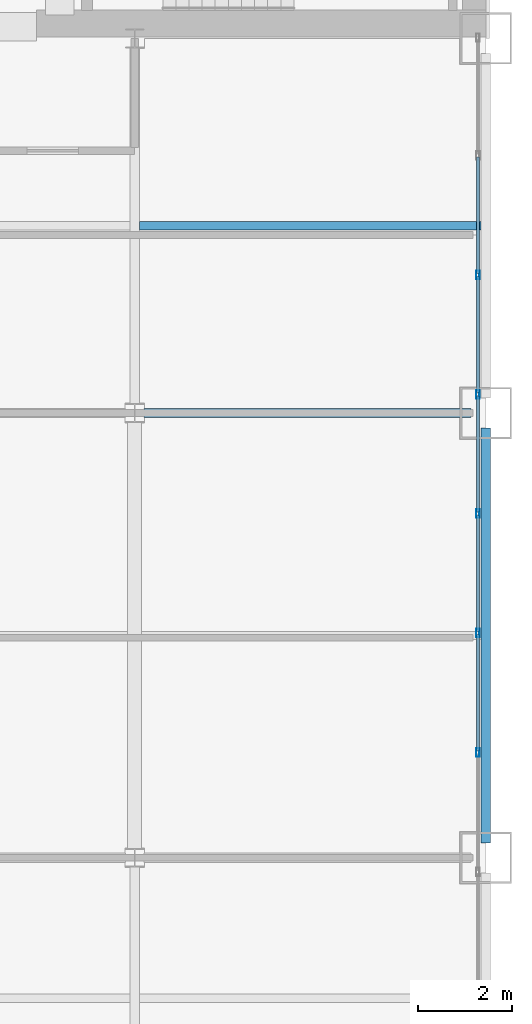
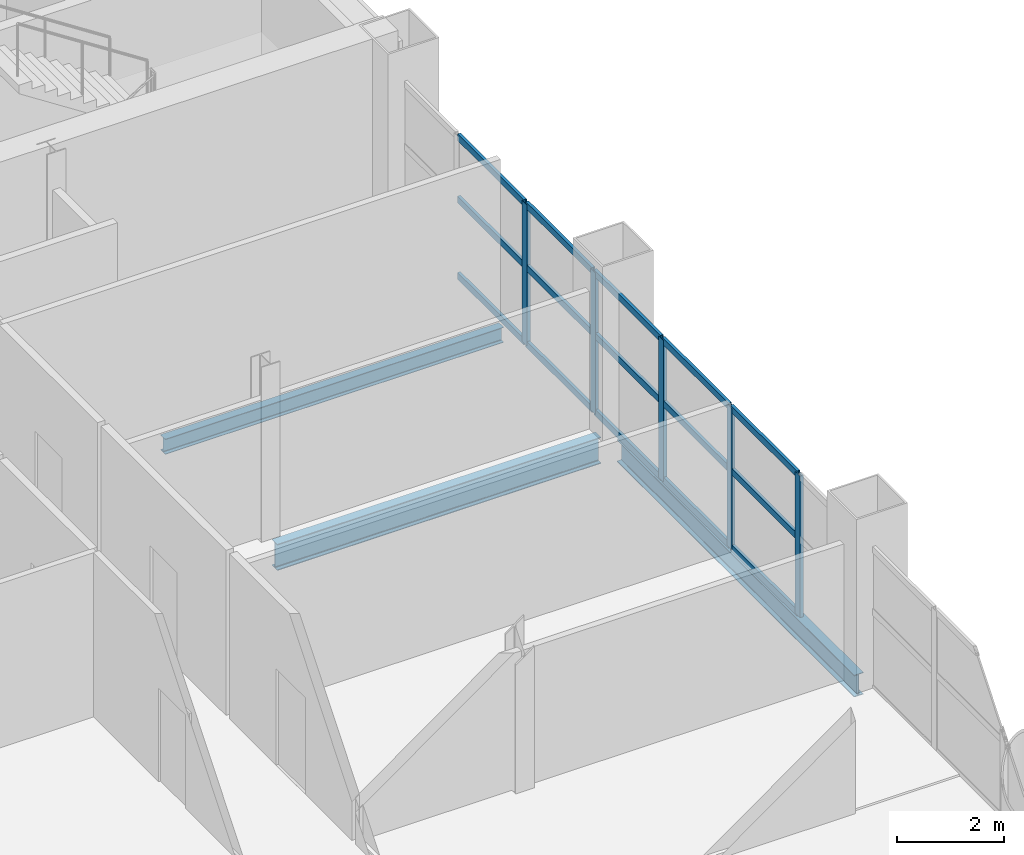
# One storey, part 7 of 16: 20 members, 3 beams, 1 element without a shape of its own.
"""IFC4 building model written with IfcOpenShell, lengths in metres."""

from ifc_helpers import new_model, si_unit, direction, frame, origin, origin_2d, place, context, subcontext, project, spatial, hollow_rectangle, i_section, extrude, material, layer, layer_set, material_profile, profile_set, type_object, element, aggregate, save


model = new_model("IFC4")

# Units and contexts
model_context = context("Model", 3, precision=1e-05, world=origin(), true_north=direction((0.0, 1.0)))
body_context = subcontext(model_context, "Body", "Model", "MODEL_VIEW")
ifc_project = project(units=[si_unit("LENGTHUNIT", "METRE"), si_unit("AREAUNIT", "SQUARE_METRE"), si_unit("VOLUMEUNIT", "CUBIC_METRE"), si_unit("PLANEANGLEUNIT", "RADIAN"), si_unit("MASSUNIT", "GRAM", prefix="KILO")], contexts=[model_context])

# Site, building, storey
site_placement = place(None, origin())
site = spatial("IfcSite", under=ifc_project, at=site_placement, CompositionType="ELEMENT")
building_placement = place(site_placement, origin())
building = spatial("IfcBuilding", under=site, at=building_placement, Name="Qianrong Seaharbour Tower", CompositionType="ELEMENT")
storey_placement = place(building_placement, frame((0.0, 0.0, 119.0)))
storey = spatial("IfcBuildingStorey", under=building, at=storey_placement, Name="L28", CompositionType="ELEMENT", Elevation=119.0)

# Beams
ifc_material_1 = material(Name="Structural steel SN490B", Category="steel")
ifc_material_profile_1 = material_profile(ifc_material_1, i_section(OverallWidth=0.199951171875, OverallDepth=0.60009765625, WebThickness=0.010986328125, FlangeThickness=0.01708984375, FilletRadius=0.02197265625, at=origin_2d()), Name="H600x200x11x17")
ifc_profile_set_1 = profile_set([ifc_material_profile_1], Name="Structural steel SN490B")
beam_type_1 = type_object("IfcBeamType", Name="BM-G-600", PredefinedType="BEAM", material=ifc_profile_set_1)
beam_1_placement = place(storey_placement, frame((56.699951171875, 28.0, -0.534912109375), z_axis=(1.0, 0.0, 0.0), x_axis=(0.0, 1.0, 0.0)))
element("IfcBeam", 1, at=beam_1_placement, inside=storey, type_object=beam_type_1, Name="L28 Primary Girder GE G8-G9", PredefinedType="BEAM", context=body_context, shape_type="SweptSolid", body=[
    extrude(i_section(OverallWidth=0.199951171875, OverallDepth=0.60009765625, WebThickness=0.010986328125, FlangeThickness=0.01708984375, FilletRadius=0.02197265625, at=origin_2d()), origin(), (0.0, 0.0, 1.0), 6.97998046875),
])
ifc_material_2 = material(Name="Structural steel SN400B", Category="steel")
ifc_material_profile_2 = material_profile(ifc_material_2, i_section(OverallWidth=0.175048828125, OverallDepth=0.35009765625, WebThickness=0.007080078125, FlangeThickness=0.010986328125, FilletRadius=0.013916015625, at=origin_2d()), Name="H350x175x7x11")
ifc_profile_set_2 = profile_set([ifc_material_profile_2], Name="Structural steel SN400B")
beam_type_2 = type_object("IfcBeamType", Name="BM-J-350", PredefinedType="JOIST", material=ifc_profile_set_2)
beam_2_placement = place(storey_placement, frame((56.60009765625, 32.0, -0.409912109375), z_axis=(1.0, 0.0, 0.0), x_axis=(0.0, 1.0, 0.0)))
element("IfcBeam", 2, at=beam_2_placement, inside=storey, type_object=beam_type_2, Name="L28 Composite Floor Joist G8-G9/GE-GF", PredefinedType="JOIST", context=body_context, shape_type="SweptSolid", body=[
    extrude(i_section(OverallWidth=0.175048828125, OverallDepth=0.35009765625, WebThickness=0.007080078125, FlangeThickness=0.010986328125, FilletRadius=0.013916015625, at=origin_2d()), origin(), (0.0, 0.0, 1.0), 7.2998046875),
])
ifc_material_profile_3 = material_profile(ifc_material_1, i_section(OverallWidth=0.199951171875, OverallDepth=0.5, WebThickness=0.010009765625, FlangeThickness=0.01611328125, FilletRadius=0.02001953125, at=origin_2d()), Name="H500x200x10x16")
ifc_profile_set_3 = profile_set([ifc_material_profile_3], Name="Structural steel SN490B")
beam_type_3 = type_object("IfcBeamType", Name="BM-SP-500", PredefinedType="SPANDREL", material=ifc_profile_set_3)
beam_3_placement = place(storey_placement, frame((64.0, 18.820068359375, -0.485107421875), z_axis=(0.0, 1.0, 0.0), x_axis=(-1.0, 0.0, 0.0)))
element("IfcBeam", 3, at=beam_3_placement, inside=storey, type_object=beam_type_3, Name="L28 Spandrel Girder G9 GD-GE", PredefinedType="SPANDREL", context=body_context, shape_type="SweptSolid", body=[
    extrude(i_section(OverallWidth=0.199951171875, OverallDepth=0.5, WebThickness=0.010009765625, FlangeThickness=0.01611328125, FilletRadius=0.02001953125, at=origin_2d()), origin(), (0.0, 0.0, 1.0), 8.85986328125),
])

# Curtain wall, members
ifc_material_3 = material(Name="Anodised aluminium 6063-T6 and laminated low-e glass", Category="aluminium")
ifc_layer = layer(ifc_material_3, 0.195068359375)
ifc_layer_set = layer_set([ifc_layer], Name="Anodised aluminium 6063-T6 and laminated low-e glass")
curtain_wall_type = type_object("IfcCurtainWallType", Name="CW-SYS-3", PredefinedType="NOTDEFINED", material=ifc_layer_set)
curtain_wall_placement = place(storey_placement, origin())
curtain_wall = element("IfcCurtainWall", 4, at=curtain_wall_placement, inside=storey, type_object=curtain_wall_type, Name="L28 Sky-Garden Wintergarden Curtain Wall EAST_WING", PredefinedType="NOTDEFINED")
ifc_material_4 = material(Name="Extruded aluminium 6063-T6", Category="aluminium")
ifc_material_profile_4 = material_profile(ifc_material_4, hollow_rectangle(XDim=0.070068359375, YDim=0.179931640625, WallThickness=0.00390625, at=origin_2d()), Name="ALU-MUL-180x70x4")
ifc_profile_set_4 = profile_set([ifc_material_profile_4], Name="Extruded aluminium 6063-T6")
member_type_1 = type_object("IfcMemberType", Name="CW-MUL-180", PredefinedType="MULLION", material=ifc_profile_set_4)
member_1_placement = place(storey_placement, frame((63.830078125, 30.949951171875, 0.0), z_axis=(0.0, 0.0, 1.0), x_axis=(1.0, 0.0, 0.0)))
member_1 = element("IfcMember", 5, at=member_1_placement, type_object=member_type_1, Name="CW-3 mullion 3", PredefinedType="MULLION", context=body_context, shape_type="SweptSolid", body=[
    extrude(hollow_rectangle(XDim=0.070068359375, YDim=0.179931640625, WallThickness=0.00390625, at=origin_2d()), origin(), (0.0, 0.0, 1.0), 3.22509765625),
])
member_2_placement = place(storey_placement, frame((63.830078125, 28.39990234375, 0.0), z_axis=(0.0, 0.0, 1.0), x_axis=(1.0, 0.0, 0.0)))
member_2 = element("IfcMember", 6, at=member_2_placement, type_object=member_type_1, Name="CW-3 mullion 4", PredefinedType="MULLION", context=body_context, shape_type="SweptSolid", body=[
    extrude(hollow_rectangle(XDim=0.070068359375, YDim=0.179931640625, WallThickness=0.00390625, at=origin_2d()), origin(), (0.0, 0.0, 1.0), 3.22509765625),
])
member_3_placement = place(storey_placement, frame((63.830078125, 25.85009765625, 0.0), z_axis=(0.0, 0.0, 1.0), x_axis=(1.0, 0.0, 0.0)))
member_3 = element("IfcMember", 7, at=member_3_placement, type_object=member_type_1, Name="CW-3 mullion 5", PredefinedType="MULLION", context=body_context, shape_type="SweptSolid", body=[
    extrude(hollow_rectangle(XDim=0.070068359375, YDim=0.179931640625, WallThickness=0.00390625, at=origin_2d()), origin(), (0.0, 0.0, 1.0), 3.22509765625),
])
member_4_placement = place(storey_placement, frame((63.830078125, 23.300048828125, 0.0), z_axis=(0.0, 0.0, 1.0), x_axis=(1.0, 0.0, 0.0)))
member_4 = element("IfcMember", 8, at=member_4_placement, type_object=member_type_1, Name="CW-3 mullion 6", PredefinedType="MULLION", context=body_context, shape_type="SweptSolid", body=[
    extrude(hollow_rectangle(XDim=0.070068359375, YDim=0.179931640625, WallThickness=0.00390625, at=origin_2d()), origin(), (0.0, 0.0, 1.0), 3.22509765625),
])
member_5_placement = place(storey_placement, frame((63.830078125, 20.75, 0.0), z_axis=(0.0, 0.0, 1.0), x_axis=(1.0, 0.0, 0.0)))
member_5 = element("IfcMember", 9, at=member_5_placement, type_object=member_type_1, Name="CW-3 mullion 7", PredefinedType="MULLION", context=body_context, shape_type="SweptSolid", body=[
    extrude(hollow_rectangle(XDim=0.070068359375, YDim=0.179931640625, WallThickness=0.00390625, at=origin_2d()), origin(), (0.0, 0.0, 1.0), 3.22509765625),
])
ifc_material_profile_5 = material_profile(ifc_material_4, hollow_rectangle(XDim=0.06494140625, YDim=0.14990234375, WallThickness=0.00390625, at=origin_2d()), Name="ALU-TRN-150x65x4")
ifc_profile_set_5 = profile_set([ifc_material_profile_5], Name="Extruded aluminium 6063-T6")
member_type_2 = type_object("IfcMemberType", Name="CW-TRN-150", PredefinedType="USERDEFINED", material=ifc_profile_set_5)
member_6_placement = place(storey_placement, frame((63.830078125, 33.465087890625, 0.032470703125), z_axis=(0.0, -1.0, 0.0), x_axis=(1.0, 0.0, 0.0)))
member_6 = element("IfcMember", 10, at=member_6_placement, type_object=member_type_2, Name="CW-3 transom 2.1", ObjectType="TRANSOM", PredefinedType="USERDEFINED", context=body_context, shape_type="SweptSolid", body=[
    extrude(hollow_rectangle(XDim=0.06494140625, YDim=0.14990234375, WallThickness=0.00390625, at=origin_2d()), origin(), (0.0, 0.0, 1.0), 2.47998046875),
])
member_7_placement = place(storey_placement, frame((63.830078125, 33.465087890625, 1.773681640625), z_axis=(0.0, -1.0, 0.0), x_axis=(1.0, 0.0, 0.0)))
member_7 = element("IfcMember", 11, at=member_7_placement, type_object=member_type_2, Name="CW-3 transom 2.2", ObjectType="TRANSOM", PredefinedType="USERDEFINED", context=body_context, shape_type="SweptSolid", body=[
    extrude(hollow_rectangle(XDim=0.06494140625, YDim=0.14990234375, WallThickness=0.00390625, at=origin_2d()), origin(), (0.0, 0.0, 1.0), 2.47998046875),
])
member_8_placement = place(storey_placement, frame((63.830078125, 33.465087890625, 3.1923828125), z_axis=(0.0, -1.0, 0.0), x_axis=(1.0, 0.0, 0.0)))
member_8 = element("IfcMember", 12, at=member_8_placement, type_object=member_type_2, Name="CW-3 transom 2.3", ObjectType="TRANSOM", PredefinedType="USERDEFINED", context=body_context, shape_type="SweptSolid", body=[
    extrude(hollow_rectangle(XDim=0.06494140625, YDim=0.14990234375, WallThickness=0.00390625, at=origin_2d()), origin(), (0.0, 0.0, 1.0), 2.47998046875),
])
member_9_placement = place(storey_placement, frame((63.830078125, 30.9150390625, 0.032470703125), z_axis=(0.0, -1.0, 0.0), x_axis=(1.0, 0.0, 0.0)))
member_9 = element("IfcMember", 13, at=member_9_placement, type_object=member_type_2, Name="CW-3 transom 3.1", ObjectType="TRANSOM", PredefinedType="USERDEFINED", context=body_context, shape_type="SweptSolid", body=[
    extrude(hollow_rectangle(XDim=0.06494140625, YDim=0.14990234375, WallThickness=0.00390625, at=origin_2d()), origin(), (0.0, 0.0, 1.0), 2.47998046875),
])
member_10_placement = place(storey_placement, frame((63.830078125, 30.9150390625, 1.773681640625), z_axis=(0.0, -1.0, 0.0), x_axis=(1.0, 0.0, 0.0)))
member_10 = element("IfcMember", 14, at=member_10_placement, type_object=member_type_2, Name="CW-3 transom 3.2", ObjectType="TRANSOM", PredefinedType="USERDEFINED", context=body_context, shape_type="SweptSolid", body=[
    extrude(hollow_rectangle(XDim=0.06494140625, YDim=0.14990234375, WallThickness=0.00390625, at=origin_2d()), origin(), (0.0, 0.0, 1.0), 2.47998046875),
])
member_11_placement = place(storey_placement, frame((63.830078125, 30.9150390625, 3.1923828125), z_axis=(0.0, -1.0, 0.0), x_axis=(1.0, 0.0, 0.0)))
member_11 = element("IfcMember", 15, at=member_11_placement, type_object=member_type_2, Name="CW-3 transom 3.3", ObjectType="TRANSOM", PredefinedType="USERDEFINED", context=body_context, shape_type="SweptSolid", body=[
    extrude(hollow_rectangle(XDim=0.06494140625, YDim=0.14990234375, WallThickness=0.00390625, at=origin_2d()), origin(), (0.0, 0.0, 1.0), 2.47998046875),
])
member_12_placement = place(storey_placement, frame((63.830078125, 28.364990234375, 0.032470703125), z_axis=(0.0, -1.0, 0.0), x_axis=(1.0, 0.0, 0.0)))
member_12 = element("IfcMember", 16, at=member_12_placement, type_object=member_type_2, Name="CW-3 transom 4.1", ObjectType="TRANSOM", PredefinedType="USERDEFINED", context=body_context, shape_type="SweptSolid", body=[
    extrude(hollow_rectangle(XDim=0.06494140625, YDim=0.14990234375, WallThickness=0.00390625, at=origin_2d()), origin(), (0.0, 0.0, 1.0), 2.47998046875),
])
member_13_placement = place(storey_placement, frame((63.830078125, 28.364990234375, 1.773681640625), z_axis=(0.0, -1.0, 0.0), x_axis=(1.0, 0.0, 0.0)))
member_13 = element("IfcMember", 17, at=member_13_placement, type_object=member_type_2, Name="CW-3 transom 4.2", ObjectType="TRANSOM", PredefinedType="USERDEFINED", context=body_context, shape_type="SweptSolid", body=[
    extrude(hollow_rectangle(XDim=0.06494140625, YDim=0.14990234375, WallThickness=0.00390625, at=origin_2d()), origin(), (0.0, 0.0, 1.0), 2.47998046875),
])
member_14_placement = place(storey_placement, frame((63.830078125, 28.364990234375, 3.1923828125), z_axis=(0.0, -1.0, 0.0), x_axis=(1.0, 0.0, 0.0)))
member_14 = element("IfcMember", 18, at=member_14_placement, type_object=member_type_2, Name="CW-3 transom 4.3", ObjectType="TRANSOM", PredefinedType="USERDEFINED", context=body_context, shape_type="SweptSolid", body=[
    extrude(hollow_rectangle(XDim=0.06494140625, YDim=0.14990234375, WallThickness=0.00390625, at=origin_2d()), origin(), (0.0, 0.0, 1.0), 2.47998046875),
])
member_15_placement = place(storey_placement, frame((63.830078125, 25.81494140625, 0.032470703125), z_axis=(0.0, -1.0, 0.0), x_axis=(1.0, 0.0, 0.0)))
member_15 = element("IfcMember", 19, at=member_15_placement, type_object=member_type_2, Name="CW-3 transom 5.1", ObjectType="TRANSOM", PredefinedType="USERDEFINED", context=body_context, shape_type="SweptSolid", body=[
    extrude(hollow_rectangle(XDim=0.06494140625, YDim=0.14990234375, WallThickness=0.00390625, at=origin_2d()), origin(), (0.0, 0.0, 1.0), 2.47998046875),
])
member_16_placement = place(storey_placement, frame((63.830078125, 25.81494140625, 1.773681640625), z_axis=(0.0, -1.0, 0.0), x_axis=(1.0, 0.0, 0.0)))
member_16 = element("IfcMember", 20, at=member_16_placement, type_object=member_type_2, Name="CW-3 transom 5.2", ObjectType="TRANSOM", PredefinedType="USERDEFINED", context=body_context, shape_type="SweptSolid", body=[
    extrude(hollow_rectangle(XDim=0.06494140625, YDim=0.14990234375, WallThickness=0.00390625, at=origin_2d()), origin(), (0.0, 0.0, 1.0), 2.47998046875),
])
member_17_placement = place(storey_placement, frame((63.830078125, 25.81494140625, 3.1923828125), z_axis=(0.0, -1.0, 0.0), x_axis=(1.0, 0.0, 0.0)))
member_17 = element("IfcMember", 21, at=member_17_placement, type_object=member_type_2, Name="CW-3 transom 5.3", ObjectType="TRANSOM", PredefinedType="USERDEFINED", context=body_context, shape_type="SweptSolid", body=[
    extrude(hollow_rectangle(XDim=0.06494140625, YDim=0.14990234375, WallThickness=0.00390625, at=origin_2d()), origin(), (0.0, 0.0, 1.0), 2.47998046875),
])
member_18_placement = place(storey_placement, frame((63.830078125, 23.264892578125, 0.032470703125), z_axis=(0.0, -1.0, 0.0), x_axis=(1.0, 0.0, 0.0)))
member_18 = element("IfcMember", 22, at=member_18_placement, type_object=member_type_2, Name="CW-3 transom 6.1", ObjectType="TRANSOM", PredefinedType="USERDEFINED", context=body_context, shape_type="SweptSolid", body=[
    extrude(hollow_rectangle(XDim=0.06494140625, YDim=0.14990234375, WallThickness=0.00390625, at=origin_2d()), origin(), (0.0, 0.0, 1.0), 2.47998046875),
])
member_19_placement = place(storey_placement, frame((63.830078125, 23.264892578125, 1.773681640625), z_axis=(0.0, -1.0, 0.0), x_axis=(1.0, 0.0, 0.0)))
member_19 = element("IfcMember", 23, at=member_19_placement, type_object=member_type_2, Name="CW-3 transom 6.2", ObjectType="TRANSOM", PredefinedType="USERDEFINED", context=body_context, shape_type="SweptSolid", body=[
    extrude(hollow_rectangle(XDim=0.06494140625, YDim=0.14990234375, WallThickness=0.00390625, at=origin_2d()), origin(), (0.0, 0.0, 1.0), 2.47998046875),
])
member_20_placement = place(storey_placement, frame((63.830078125, 23.264892578125, 3.1923828125), z_axis=(0.0, -1.0, 0.0), x_axis=(1.0, 0.0, 0.0)))
member_20 = element("IfcMember", 24, at=member_20_placement, type_object=member_type_2, Name="CW-3 transom 6.3", ObjectType="TRANSOM", PredefinedType="USERDEFINED", context=body_context, shape_type="SweptSolid", body=[
    extrude(hollow_rectangle(XDim=0.06494140625, YDim=0.14990234375, WallThickness=0.00390625, at=origin_2d()), origin(), (0.0, 0.0, 1.0), 2.47998046875),
])
aggregate(curtain_wall, [member_1, member_2, member_3, member_4, member_5, member_6, member_7, member_8, member_9, member_10, member_11, member_12, member_13, member_14, member_15, member_16, member_17, member_18, member_19, member_20])

save(model, "model.ifc")
